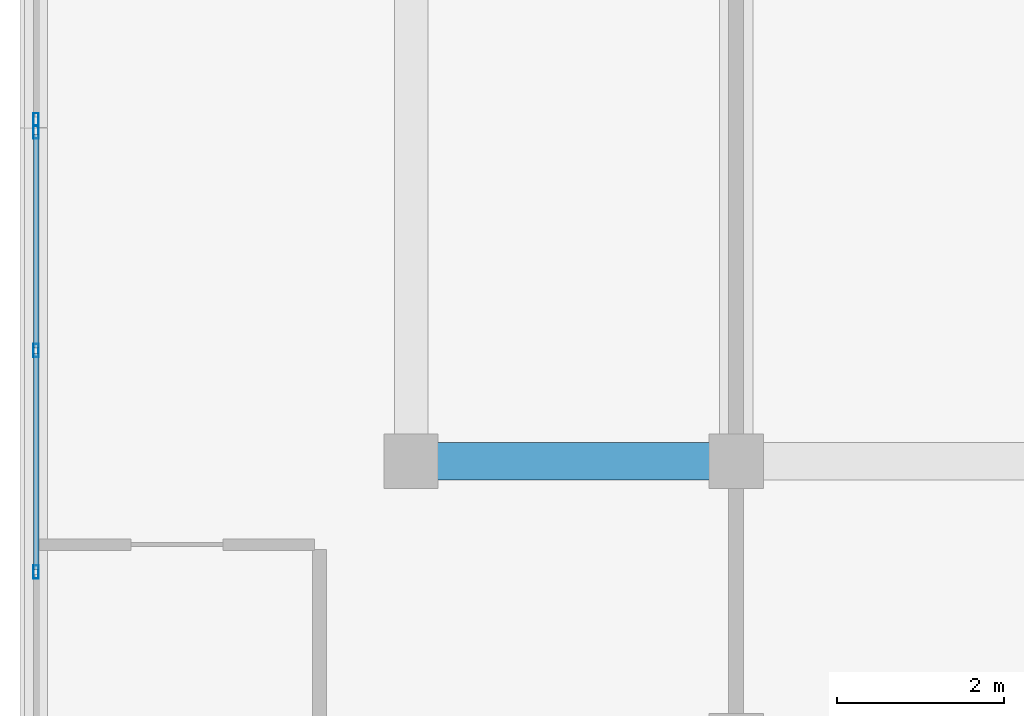
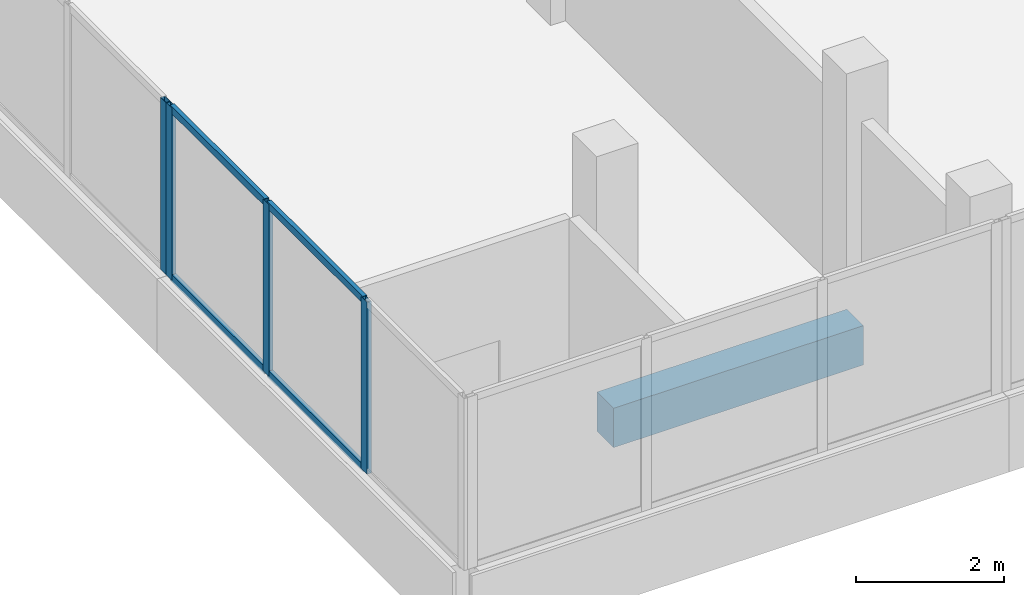
# One storey, part 4 of 76: 8 members, 1 beam, 2 elements without a shape of their own.
"""IFC4 building model written with IfcOpenShell, lengths in metres."""

import ifcopenshell
import ifcopenshell.guid

model = None  # the IFC model being written
_history = None  # IfcOwnerHistory: only IFC2X3 demands one
_inside = {}  # id of a spatial element -> (the spatial element, [elements in it])
_under = {}  # id of a project, library or spatial element -> (it, [spatial elements below it])
_declared = {}  # id of a project -> (the project, [libraries it declares])
_typed = {}  # id of a type object -> (the type object, [elements of that type])
_made_of = {}  # id of a material, layer set ... -> (it, [elements and type objects made of it])


def new_model(schema):
    """Start an empty IFC model of exactly this schema.

    Asked for "IFC4X3", IfcOpenShell would pick the latest addendum, in which some entities
    have other attributes; the version numbers below select the first issue.
    IFC2X3 requires an IfcOwnerHistory on every rooted entity: one is made here for all.
    """
    global model, _history
    if schema == "IFC4X3":
        model = ifcopenshell.file(schema_version=(4, 3, 0, 0))
    else:
        model = ifcopenshell.file(schema=schema)
    _inside.clear()
    _under.clear()
    _declared.clear()
    _typed.clear()
    _made_of.clear()
    _history = None
    if model.schema == "IFC2X3":
        org = make("IfcOrganization", Name="unknown")
        user = make(
            "IfcPersonAndOrganization",
            ThePerson=make("IfcPerson", FamilyName="unknown"),
            TheOrganization=org,
        )
        app = make(
            "IfcApplication",
            ApplicationDeveloper=org,
            Version="unknown",
            ApplicationFullName="unknown",
            ApplicationIdentifier="unknown",
        )
        _history = make(
            "IfcOwnerHistory",
            OwningUser=user,
            OwningApplication=app,
            ChangeAction="ADDED",
            CreationDate=0,
        )
    return model


def make(cls, **values):
    """One entity of the class cls with the attributes given. An attribute that is None is left unset."""
    return model.create_entity(
        cls, **{name: value for name, value in values.items() if value is not None}
    )


def rooted(cls, **values):
    """An entity with a GlobalId (a new one), such as an element, a storey or a relation."""
    return make(cls, GlobalId=ifcopenshell.guid.new(), OwnerHistory=_history, **values)


def si_unit(unit_type, name, prefix=None):
    """IfcSIUnit, for example si_unit("LENGTHUNIT", "METRE", prefix="MILLI")."""
    return make("IfcSIUnit", UnitType=unit_type, Prefix=prefix, Name=name)


def assignment(units):
    """IfcUnitAssignment: the units of a project."""
    return None if units is None else make("IfcUnitAssignment", Units=units)


def point(xyz):
    """IfcCartesianPoint."""
    return None if xyz is None else make("IfcCartesianPoint", Coordinates=xyz)


def direction(xyz):
    """IfcDirection."""
    return None if xyz is None else make("IfcDirection", DirectionRatios=xyz)


def frame(location, z_axis=None, x_axis=None):
    """IfcAxis2Placement3D, a coordinate frame: its origin and axes. An axis left out is left unset."""
    return make(
        "IfcAxis2Placement3D",
        Location=point(location),
        Axis=direction(z_axis),
        RefDirection=direction(x_axis),
    )


def frame_2d(location, x_axis=None):
    """IfcAxis2Placement2D, a coordinate frame in the plane: its origin and x axis."""
    return make(
        "IfcAxis2Placement2D", Location=point(location), RefDirection=direction(x_axis)
    )


def origin():
    """The frame at (0, 0, 0) with its axes left unset."""
    return frame((0.0, 0.0, 0.0))


def origin_2d():
    """The frame at (0, 0) in the plane with its x axis left unset."""
    return frame_2d((0.0, 0.0))


def place(relative_to, where):
    """IfcLocalPlacement: puts the frame where relative to a parent placement (None: the world)."""
    return make(
        "IfcLocalPlacement", PlacementRelTo=relative_to, RelativePlacement=where
    )


def context(
    kind, dimensions, precision=None, world=None, true_north=None, identifier=None
):
    """IfcGeometricRepresentationContext, for example the 3D "Model" context."""
    return make(
        "IfcGeometricRepresentationContext",
        ContextIdentifier=identifier,
        ContextType=kind,
        CoordinateSpaceDimension=dimensions,
        Precision=precision,
        WorldCoordinateSystem=world,
        TrueNorth=true_north,
    )


def subcontext(parent, identifier, kind, view, scale=None):
    """IfcGeometricRepresentationSubContext, for example "Body" below "Model"."""
    return make(
        "IfcGeometricRepresentationSubContext",
        ContextIdentifier=identifier,
        ContextType=kind,
        ParentContext=parent,
        TargetScale=scale,
        TargetView=view,
    )


def project(units=None, contexts=None):
    """IfcProject with its units and contexts."""
    return rooted(
        "IfcProject",
        Name="project",
        RepresentationContexts=contexts,
        UnitsInContext=assignment(units),
    )


def spatial(cls, under=None, at=None, **own):
    """A site, building, storey or space (cls), placed at a placement, below another one or the project."""
    s = rooted(cls, ObjectPlacement=at, **own)
    if under is not None:
        _under.setdefault(under.id(), (under, []))[1].append(s)
    return s


def profile(cls, at=None, kind="AREA", **sizes):
    """A parametric profile (cls). Its sizes go by their IFC names, for example OverallWidth=200.0."""
    return make(cls, ProfileType=kind, Position=at, **sizes)


def rectangle(**sizes):
    """IfcRectangleProfileDef."""
    return profile("IfcRectangleProfileDef", **sizes)


def hollow_rectangle(**sizes):
    """IfcRectangleHollowProfileDef."""
    return profile("IfcRectangleHollowProfileDef", **sizes)


def extrude(swept, where, along, depth):
    """IfcExtrudedAreaSolid: the profile swept, set in the frame where, extruded along a direction by depth."""
    return make(
        "IfcExtrudedAreaSolid",
        SweptArea=swept,
        Position=where,
        ExtrudedDirection=direction(along),
        Depth=depth,
    )


def shape(context_of_items, identifier, shape_type, items):
    """IfcShapeRepresentation: the items that make up one representation, for example the "Body"."""
    return make(
        "IfcShapeRepresentation",
        ContextOfItems=context_of_items,
        RepresentationIdentifier=identifier,
        RepresentationType=shape_type,
        Items=items,
    )


def material(Name=None, Category=None):
    """IfcMaterial."""
    return make("IfcMaterial", Name=Name, Category=Category)


def material_profile(
    of_material, cross_section, Name=None, Category=None, Priority=None
):
    """IfcMaterialProfile: a cross section and its material."""
    return make(
        "IfcMaterialProfile",
        Name=Name,
        Material=of_material,
        Profile=cross_section,
        Priority=Priority,
        Category=Category,
    )


def profile_set(profiles, Name=None, composite=None):
    """IfcMaterialProfileSet."""
    return make(
        "IfcMaterialProfileSet",
        Name=Name,
        MaterialProfiles=profiles,
        CompositeProfile=composite,
    )


def made_of(thing, what):
    """Note that an element or type object is made of a material, layer set ...; save() writes the relation."""
    if what is not None:
        _made_of.setdefault(what.id(), (what, []))[1].append(thing)
    return thing


def type_object(cls, material=None, **own):
    """A type object (cls), such as IfcWallType, which elements share."""
    return made_of(rooted(cls, **own), material)


def element(
    cls,
    number,
    at=None,
    inside=None,
    cuts=None,
    type_object=None,
    material=None,
    context=None,
    identifier="Body",
    shape_type=None,
    held_by="IfcProductDefinitionShape",
    body=None,
    shapes=None,
    **own,
):
    """One element of the class cls, such as IfcWall. Its Tag is "e" and its number.

    at: its placement. inside: the storey or other place that contains it. cuts: it is an
    opening in that element (IfcRelVoidsElement). A single representation is given by context,
    identifier, shape_type and body (its items); several are given by shapes. held_by: the class
    of the entity that holds the representations. save() writes the other relations.
    """
    e = rooted(cls, Tag="e%d" % number, ObjectPlacement=at, **own)
    if body is not None:
        shapes = [shape(context, identifier, shape_type, body)]
    if shapes is not None:
        e.Representation = make(held_by, Representations=shapes)
    if inside is not None:
        _inside.setdefault(inside.id(), (inside, []))[1].append(e)
    if cuts is not None:
        rooted(
            "IfcRelVoidsElement", RelatingBuildingElement=cuts, RelatedOpeningElement=e
        )
    if type_object is not None:
        _typed.setdefault(type_object.id(), (type_object, []))[1].append(e)
    return made_of(e, material)


def aggregate(whole, parts):
    """IfcRelAggregates: a whole, such as a stair, and the parts it consists of."""
    return rooted("IfcRelAggregates", RelatingObject=whole, RelatedObjects=parts)


def save(model, path):
    """Write the relations noted so far, then the file.

    IfcRelAggregates (storeys below a building ...), IfcRelContainedInSpatialStructure (elements
    in a storey), IfcRelDefinesByType, IfcRelAssociatesMaterial and IfcRelDeclares: one each for
    every whole, place, type object, material and project.
    """
    for whole, parts in _under.values():
        aggregate(whole, parts)
    for where, things in _inside.values():
        rooted(
            "IfcRelContainedInSpatialStructure",
            RelatedElements=things,
            RelatingStructure=where,
        )
    for kind, things in _typed.values():
        rooted("IfcRelDefinesByType", RelatedObjects=things, RelatingType=kind)
    for what, things in _made_of.values():
        rooted("IfcRelAssociatesMaterial", RelatedObjects=things, RelatingMaterial=what)
    for by, libraries in _declared.values():
        rooted("IfcRelDeclares", RelatingContext=by, RelatedDefinitions=libraries)
    model.write(path)


model = new_model("IFC4")

# Units and contexts
model_context = context("Model", 3, precision=1e-05, world=origin(), true_north=direction((0.0, 1.0)))
body_context = subcontext(model_context, "Body", "Model", "MODEL_VIEW")
ifc_project = project(units=[si_unit("LENGTHUNIT", "METRE"), si_unit("AREAUNIT", "SQUARE_METRE"), si_unit("VOLUMEUNIT", "CUBIC_METRE"), si_unit("PLANEANGLEUNIT", "RADIAN"), si_unit("MASSUNIT", "GRAM", prefix="KILO")], contexts=[model_context])

# Site, building, storey
site_placement = place(None, origin())
site = spatial("IfcSite", under=ifc_project, at=site_placement, CompositionType="ELEMENT")
building_placement = place(site_placement, origin())
building = spatial("IfcBuilding", under=site, at=building_placement, Name="Selatvlak General Hospital", CompositionType="ELEMENT")
storey_placement = place(building_placement, frame((0.0, 0.0, 27.300048828125)))
storey = spatial("IfcBuildingStorey", under=building, at=storey_placement, Name="L06", CompositionType="ELEMENT", Elevation=27.300048828125)

# Beam
ifc_material_1 = material(Name="Concrete C40/50", Category="concrete")
ifc_material_profile_1 = material_profile(ifc_material_1, rectangle(XDim=0.449951171875, YDim=0.64990234375, at=origin_2d()), Name="RC-BM 450x650")
ifc_profile_set_1 = profile_set([ifc_material_profile_1], Name="Concrete C40/50")
beam_type = type_object("IfcBeamType", Name="BM-G04", PredefinedType="BEAM", material=ifc_profile_set_1)
beam_placement = place(storey_placement, frame((27.300048828125, 92.0, -0.60009765625), z_axis=(1.0, 0.0, 0.0), x_axis=(0.0, 1.0, 0.0)))
element("IfcBeam", 1, at=beam_placement, inside=storey, type_object=beam_type, Name="Beam BMR-L06-2162", PredefinedType="BEAM", context=body_context, shape_type="SweptSolid", body=[
    extrude(rectangle(XDim=0.449951171875, YDim=0.64990234375, at=origin_2d()), origin(), (0.0, 0.0, 1.0), 3.89990234375),
])

# Curtain wall, members
ifc_material_2 = material(Name="Solar-control Low-E double glazing", Category="glass")
curtain_wall_type_1 = type_object("IfcCurtainWallType", Name="CW-CW-02", PredefinedType="USERDEFINED", material=ifc_material_2)
curtain_wall_1_placement = place(storey_placement, origin())
curtain_wall_1 = element("IfcCurtainWall", 2, at=curtain_wall_1_placement, inside=storey, type_object=curtain_wall_type_1, Name="Glazed facade curtain wall CW-L06-0594", ObjectType="UNITISED CURTAIN WALL", PredefinedType="USERDEFINED")
ifc_material_3 = material(Name="Dark anodised aluminium mullion", Category="aluminium")
ifc_material_profile_2 = material_profile(ifc_material_3, hollow_rectangle(XDim=0.06494140625, YDim=0.159912109375, WallThickness=0.00390625, at=origin_2d()), Name="AL-MUL 65x160x4")
ifc_profile_set_2 = profile_set([ifc_material_profile_2], Name="Dark anodised aluminium mullion")
member_type_1 = type_object("IfcMemberType", Name="CWM-01", PredefinedType="MULLION", material=ifc_profile_set_2)
member_1_placement = place(storey_placement, frame((22.800048828125, 90.671630859375, 0.93994140625), z_axis=(0.0, 0.0, 1.0), x_axis=(-1.0, 0.0, 0.0)))
member_1 = element("IfcMember", 3, at=member_1_placement, type_object=member_type_1, Name="CW-02 mullion 2", PredefinedType="MULLION", context=body_context, shape_type="SweptSolid", body=[
    extrude(hollow_rectangle(XDim=0.06494140625, YDim=0.159912109375, WallThickness=0.00390625, at=origin_2d()), origin(), (0.0, 0.0, 1.0), 2.840087890625),
])
member_2_placement = place(storey_placement, frame((22.800048828125, 93.328369140625, 0.93994140625), z_axis=(0.0, 0.0, 1.0), x_axis=(-1.0, 0.0, 0.0)))
member_2 = element("IfcMember", 4, at=member_2_placement, type_object=member_type_1, Name="CW-02 mullion 3", PredefinedType="MULLION", context=body_context, shape_type="SweptSolid", body=[
    extrude(hollow_rectangle(XDim=0.06494140625, YDim=0.159912109375, WallThickness=0.00390625, at=origin_2d()), origin(), (0.0, 0.0, 1.0), 2.840087890625),
])
member_3_placement = place(storey_placement, frame((22.800048828125, 95.952392578125, 0.93994140625), z_axis=(0.0, 0.0, 1.0), x_axis=(-1.0, 0.0, 0.0)))
member_3 = element("IfcMember", 5, at=member_3_placement, type_object=member_type_1, Name="CW-02 mullion 4", PredefinedType="MULLION", context=body_context, shape_type="SweptSolid", body=[
    extrude(hollow_rectangle(XDim=0.06494140625, YDim=0.159912109375, WallThickness=0.00390625, at=origin_2d()), origin(), (0.0, 0.0, 1.0), 2.840087890625),
])

# Curtain wall, member
curtain_wall_type_2 = type_object("IfcCurtainWallType", Name="CW-CW-01", PredefinedType="USERDEFINED", material=ifc_material_2)
curtain_wall_2_placement = place(storey_placement, origin())
curtain_wall_2 = element("IfcCurtainWall", 6, at=curtain_wall_2_placement, inside=storey, type_object=curtain_wall_type_2, Name="Glazed facade curtain wall CW-L06-0595", ObjectType="UNITISED CURTAIN WALL", PredefinedType="USERDEFINED")
member_4_placement = place(storey_placement, frame((22.800048828125, 96.097412109375, 0.93994140625), z_axis=(0.0, 0.0, 1.0), x_axis=(-1.0, 0.0, 0.0)))
member_4 = element("IfcMember", 7, at=member_4_placement, type_object=member_type_1, Name="CW-01 mullion 1", PredefinedType="MULLION", context=body_context, shape_type="SweptSolid", body=[
    extrude(hollow_rectangle(XDim=0.06494140625, YDim=0.159912109375, WallThickness=0.00390625, at=origin_2d()), origin(), (0.0, 0.0, 1.0), 2.840087890625),
])
aggregate(curtain_wall_2, [member_4])

# Member
ifc_material_profile_3 = material_profile(ifc_material_3, hollow_rectangle(XDim=0.06494140625, YDim=0.1201171875, WallThickness=0.00390625, at=origin_2d()), Name="AL-TRN 65x120x4")
ifc_profile_set_3 = profile_set([ifc_material_profile_3], Name="Dark anodised aluminium mullion")
member_type_2 = type_object("IfcMemberType", Name="CWT-01", PredefinedType="USERDEFINED", material=ifc_profile_set_3)
member_5_placement = place(storey_placement, frame((22.800048828125, 90.7041015625, 0.972412109375), z_axis=(0.0, 1.0, 0.0), x_axis=(-1.0, 0.0, 0.0)))
member_5 = element("IfcMember", 8, at=member_5_placement, type_object=member_type_2, Name="CW-02 transom 2.1", ObjectType="TRANSOM", PredefinedType="USERDEFINED", context=body_context, shape_type="SweptSolid", body=[
    extrude(hollow_rectangle(XDim=0.06494140625, YDim=0.1201171875, WallThickness=0.00390625, at=origin_2d()), origin(), (0.0, 0.0, 1.0), 2.591796875),
])

member_6_placement = place(storey_placement, frame((22.800048828125, 90.7041015625, 3.74755859375), z_axis=(0.0, 1.0, 0.0), x_axis=(-1.0, 0.0, 0.0)))
member_6 = element("IfcMember", 9, at=member_6_placement, type_object=member_type_2, Name="CW-02 transom 2.2", ObjectType="TRANSOM", PredefinedType="USERDEFINED", context=body_context, shape_type="SweptSolid", body=[
    extrude(hollow_rectangle(XDim=0.06494140625, YDim=0.1201171875, WallThickness=0.00390625, at=origin_2d()), origin(), (0.0, 0.0, 1.0), 2.591796875),
])

member_7_placement = place(storey_placement, frame((22.800048828125, 93.36083984375, 0.972412109375), z_axis=(0.0, 1.0, 0.0), x_axis=(-1.0, 0.0, 0.0)))
member_7 = element("IfcMember", 10, at=member_7_placement, type_object=member_type_2, Name="CW-02 transom 3.1", ObjectType="TRANSOM", PredefinedType="USERDEFINED", context=body_context, shape_type="SweptSolid", body=[
    extrude(hollow_rectangle(XDim=0.06494140625, YDim=0.1201171875, WallThickness=0.00390625, at=origin_2d()), origin(), (0.0, 0.0, 1.0), 2.55908203125),
])

member_8_placement = place(storey_placement, frame((22.800048828125, 93.36083984375, 3.74755859375), z_axis=(0.0, 1.0, 0.0), x_axis=(-1.0, 0.0, 0.0)))
member_8 = element("IfcMember", 11, at=member_8_placement, type_object=member_type_2, Name="CW-02 transom 3.2", ObjectType="TRANSOM", PredefinedType="USERDEFINED", context=body_context, shape_type="SweptSolid", body=[
    extrude(hollow_rectangle(XDim=0.06494140625, YDim=0.1201171875, WallThickness=0.00390625, at=origin_2d()), origin(), (0.0, 0.0, 1.0), 2.55908203125),
])

aggregate(curtain_wall_1, [member_1, member_2, member_3, member_5, member_6, member_7, member_8])

save(model, "model.ifc")
